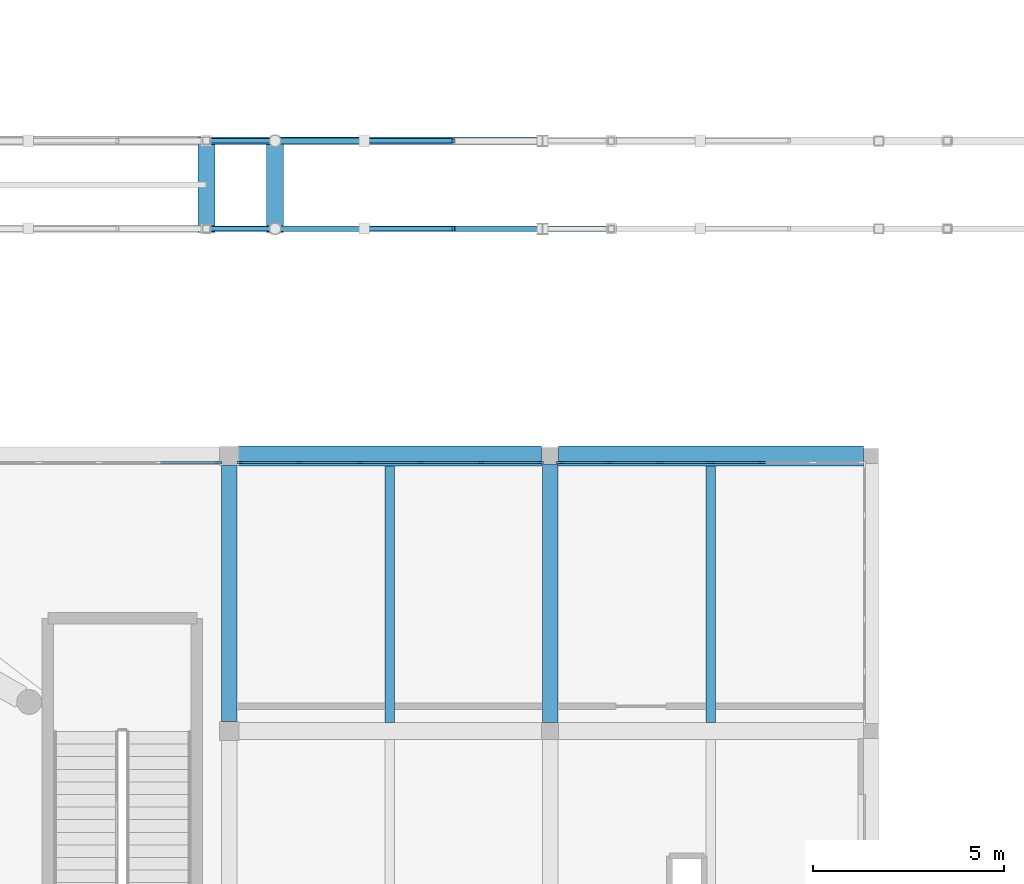
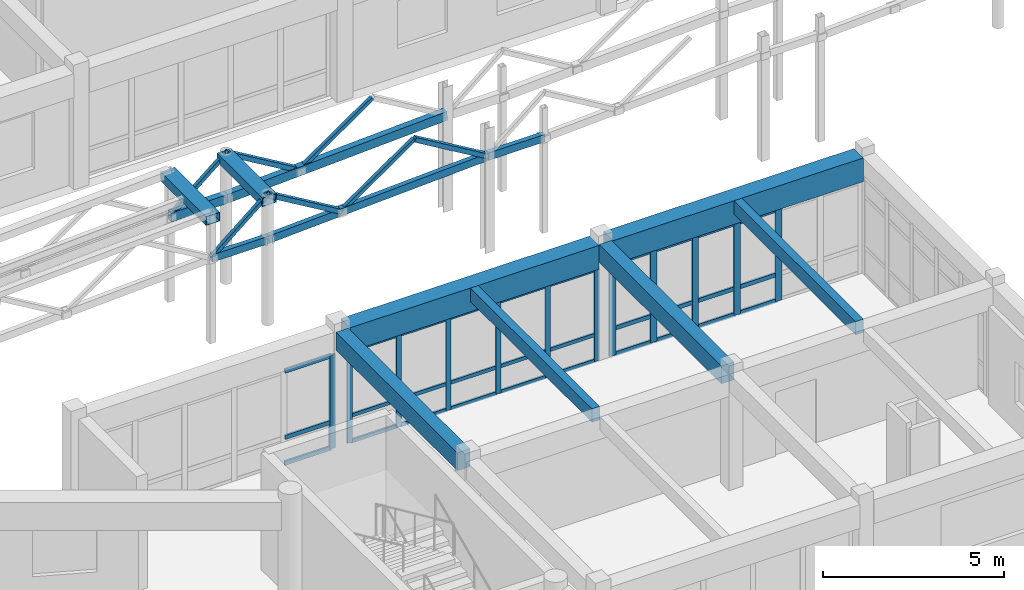
# One storey, part 37 of 147: 54 members, 8 beams, 3 elements without a shape of their own.
"""IFC4 building model written with IfcOpenShell, lengths in metres."""

from ifc_helpers import new_model, si_unit, direction, frame, origin, origin_2d, place, context, subcontext, project, spatial, rectangle, hollow_rectangle, extrude, material, material_profile, profile_set, type_object, element, aggregate, save


model = new_model("IFC4")

# Units and contexts
model_context = context("Model", 3, precision=1e-05, world=origin(), true_north=direction((0.0, 1.0)))
body_context = subcontext(model_context, "Body", "Model", "MODEL_VIEW")
ifc_project = project(units=[si_unit("LENGTHUNIT", "METRE"), si_unit("AREAUNIT", "SQUARE_METRE"), si_unit("VOLUMEUNIT", "CUBIC_METRE"), si_unit("PLANEANGLEUNIT", "RADIAN"), si_unit("MASSUNIT", "GRAM", prefix="KILO")], contexts=[model_context])

# Site, building, storey
site_placement = place(None, origin())
site = spatial("IfcSite", under=ifc_project, at=site_placement, CompositionType="ELEMENT")
building_placement = place(site_placement, origin())
building = spatial("IfcBuilding", under=site, at=building_placement, Name="Malvenik Polytechnic", CompositionType="ELEMENT")
storey_placement = place(building_placement, frame((0.0, 0.0, 5.10009765625)))
storey = spatial("IfcBuildingStorey", under=building, at=storey_placement, Name="L01", CompositionType="ELEMENT", Elevation=5.10009765625)

# Curtain wall, members
ifc_material_1 = material(Name="Anodised aluminium 6060-T6", Category="aluminium")
curtain_wall_type = type_object("IfcCurtainWallType", Name="ARC-CW-CW-02", PredefinedType="NOTDEFINED", material=ifc_material_1)
curtain_wall_1_placement = place(storey_placement, origin())
curtain_wall_1 = element("IfcCurtainWall", 1, at=curtain_wall_1_placement, inside=storey, type_object=curtain_wall_type, Name="Unitised Curtain Wall CW-02 L01 #131", PredefinedType="NOTDEFINED")
ifc_material_2 = material(Name="Anodised aluminium", Category="aluminium")
ifc_material_profile_1 = material_profile(ifc_material_2, rectangle(XDim=0.06005859375, YDim=0.159912109375, at=origin_2d()), Name="ALU MULLION 60x160")
ifc_profile_set_1 = profile_set([ifc_material_profile_1], Name="Anodised aluminium")
member_type_1 = type_object("IfcMemberType", Name="ARC-CWM-160", PredefinedType="MULLION", material=ifc_profile_set_1)
member_1_placement = place(storey_placement, frame((33.8779296875, 35.830078125, 0.0), z_axis=(0.0, 0.0, 1.0), x_axis=(0.0, 1.0, 0.0)))
member_1 = element("IfcMember", 2, at=member_1_placement, type_object=member_type_1, Name="CW-02 mullion 1", PredefinedType="MULLION", context=body_context, shape_type="SweptSolid", body=[
    extrude(rectangle(XDim=0.06005859375, YDim=0.159912109375, at=origin_2d()), origin(), (0.0, 0.0, 1.0), 3.10986328125),
])
member_2_placement = place(storey_placement, frame((35.433837890625, 35.830078125, 0.0), z_axis=(0.0, 0.0, 1.0), x_axis=(0.0, 1.0, 0.0)))
member_2 = element("IfcMember", 3, at=member_2_placement, type_object=member_type_1, Name="CW-02 mullion 2", PredefinedType="MULLION", context=body_context, shape_type="SweptSolid", body=[
    extrude(rectangle(XDim=0.06005859375, YDim=0.159912109375, at=origin_2d()), origin(), (0.0, 0.0, 1.0), 3.10986328125),
])
member_3_placement = place(storey_placement, frame((37.01953125, 35.830078125, 0.0), z_axis=(0.0, 0.0, 1.0), x_axis=(0.0, 1.0, 0.0)))
member_3 = element("IfcMember", 4, at=member_3_placement, type_object=member_type_1, Name="CW-02 mullion 3", PredefinedType="MULLION", context=body_context, shape_type="SweptSolid", body=[
    extrude(rectangle(XDim=0.06005859375, YDim=0.159912109375, at=origin_2d()), origin(), (0.0, 0.0, 1.0), 3.10986328125),
])
member_4_placement = place(storey_placement, frame((38.60546875, 35.830078125, 0.0), z_axis=(0.0, 0.0, 1.0), x_axis=(0.0, 1.0, 0.0)))
member_4 = element("IfcMember", 5, at=member_4_placement, type_object=member_type_1, Name="CW-02 mullion 4", PredefinedType="MULLION", context=body_context, shape_type="SweptSolid", body=[
    extrude(rectangle(XDim=0.06005859375, YDim=0.159912109375, at=origin_2d()), origin(), (0.0, 0.0, 1.0), 3.10986328125),
])
member_5_placement = place(storey_placement, frame((40.191162109375, 35.830078125, 0.0), z_axis=(0.0, 0.0, 1.0), x_axis=(0.0, 1.0, 0.0)))
member_5 = element("IfcMember", 6, at=member_5_placement, type_object=member_type_1, Name="CW-02 mullion 5", PredefinedType="MULLION", context=body_context, shape_type="SweptSolid", body=[
    extrude(rectangle(XDim=0.06005859375, YDim=0.159912109375, at=origin_2d()), origin(), (0.0, 0.0, 1.0), 3.10986328125),
])
member_6_placement = place(storey_placement, frame((41.7470703125, 35.830078125, 0.0), z_axis=(0.0, 0.0, 1.0), x_axis=(0.0, 1.0, 0.0)))
member_6 = element("IfcMember", 7, at=member_6_placement, type_object=member_type_1, Name="CW-02 mullion 6", PredefinedType="MULLION", context=body_context, shape_type="SweptSolid", body=[
    extrude(rectangle(XDim=0.06005859375, YDim=0.159912109375, at=origin_2d()), origin(), (0.0, 0.0, 1.0), 3.10986328125),
])

# Curtain wall, member
curtain_wall_2_placement = place(storey_placement, origin())
curtain_wall_2 = element("IfcCurtainWall", 8, at=curtain_wall_2_placement, inside=storey, type_object=curtain_wall_type, Name="Unitised Curtain Wall CW-02 L01 #130", PredefinedType="NOTDEFINED")
ifc_material_profile_2 = material_profile(ifc_material_2, rectangle(XDim=0.06005859375, YDim=0.179931640625, at=origin_2d()), Name="ALU MULLION 60x180")
ifc_profile_set_2 = profile_set([ifc_material_profile_2], Name="Anodised aluminium")
member_type_2 = type_object("IfcMemberType", Name="ARC-CWM-180", PredefinedType="MULLION", material=ifc_profile_set_2)
member_7_placement = place(storey_placement, frame((33.322021484375, 35.830078125, 0.0), z_axis=(0.0, 0.0, 1.0), x_axis=(0.0, 1.0, 0.0)))
member_7 = element("IfcMember", 9, at=member_7_placement, type_object=member_type_2, Name="CW-02 mullion 6", PredefinedType="MULLION", context=body_context, shape_type="SweptSolid", body=[
    extrude(rectangle(XDim=0.06005859375, YDim=0.179931640625, at=origin_2d()), origin(), (0.0, 0.0, 1.0), 3.159912109375),
])

# Curtain wall, members
curtain_wall_3_placement = place(storey_placement, origin())
curtain_wall_3 = element("IfcCurtainWall", 10, at=curtain_wall_3_placement, inside=storey, type_object=curtain_wall_type, Name="Unitised Curtain Wall CW-02 L01 #132", PredefinedType="NOTDEFINED")
ifc_material_profile_3 = material_profile(ifc_material_2, rectangle(XDim=0.06005859375, YDim=0.199951171875, at=origin_2d()), Name="ALU MULLION 60x200")
ifc_profile_set_3 = profile_set([ifc_material_profile_3], Name="Anodised aluminium")
member_type_3 = type_object("IfcMemberType", Name="ARC-CWM-200", PredefinedType="MULLION", material=ifc_profile_set_3)
member_8_placement = place(storey_placement, frame((42.2529296875, 35.830078125, 0.0), z_axis=(0.0, 0.0, 1.0), x_axis=(0.0, 1.0, 0.0)))
member_8 = element("IfcMember", 11, at=member_8_placement, type_object=member_type_3, Name="CW-02 mullion 1", PredefinedType="MULLION", context=body_context, shape_type="SweptSolid", body=[
    extrude(rectangle(XDim=0.06005859375, YDim=0.199951171875, at=origin_2d()), origin(), (0.0, 0.0, 1.0), 3.10986328125),
])
member_9_placement = place(storey_placement, frame((43.552734375, 35.830078125, 0.0), z_axis=(0.0, 0.0, 1.0), x_axis=(0.0, 1.0, 0.0)))
member_9 = element("IfcMember", 12, at=member_9_placement, type_object=member_type_3, Name="CW-02 mullion 2", PredefinedType="MULLION", context=body_context, shape_type="SweptSolid", body=[
    extrude(rectangle(XDim=0.06005859375, YDim=0.199951171875, at=origin_2d()), origin(), (0.0, 0.0, 1.0), 3.10986328125),
])
member_10_placement = place(storey_placement, frame((44.882568359375, 35.830078125, 0.0), z_axis=(0.0, 0.0, 1.0), x_axis=(0.0, 1.0, 0.0)))
member_10 = element("IfcMember", 13, at=member_10_placement, type_object=member_type_3, Name="CW-02 mullion 3", PredefinedType="MULLION", context=body_context, shape_type="SweptSolid", body=[
    extrude(rectangle(XDim=0.06005859375, YDim=0.199951171875, at=origin_2d()), origin(), (0.0, 0.0, 1.0), 3.10986328125),
])
member_11_placement = place(storey_placement, frame((46.21240234375, 35.830078125, 0.0), z_axis=(0.0, 0.0, 1.0), x_axis=(0.0, 1.0, 0.0)))
member_11 = element("IfcMember", 14, at=member_11_placement, type_object=member_type_3, Name="CW-02 mullion 4", PredefinedType="MULLION", context=body_context, shape_type="SweptSolid", body=[
    extrude(rectangle(XDim=0.06005859375, YDim=0.199951171875, at=origin_2d()), origin(), (0.0, 0.0, 1.0), 3.10986328125),
])
member_12_placement = place(storey_placement, frame((47.542236328125, 35.830078125, 0.0), z_axis=(0.0, 0.0, 1.0), x_axis=(0.0, 1.0, 0.0)))
member_12 = element("IfcMember", 15, at=member_12_placement, type_object=member_type_3, Name="CW-02 mullion 5", PredefinedType="MULLION", context=body_context, shape_type="SweptSolid", body=[
    extrude(rectangle(XDim=0.06005859375, YDim=0.199951171875, at=origin_2d()), origin(), (0.0, 0.0, 1.0), 3.10986328125),
])

# Member
ifc_material_profile_4 = material_profile(ifc_material_2, rectangle(XDim=0.06005859375, YDim=0.1201171875, at=origin_2d()), Name="ALU TRANSOM 60x120")
ifc_profile_set_4 = profile_set([ifc_material_profile_4], Name="Anodised aluminium")
member_type_4 = type_object("IfcMemberType", Name="ARC-CWT-120", PredefinedType="USERDEFINED", material=ifc_profile_set_4)
member_13_placement = place(storey_placement, frame((33.907958984375, 35.830078125, 0.02978515625), z_axis=(1.0, 0.0, 0.0), x_axis=(0.0, 1.0, 0.0)))
member_13 = element("IfcMember", 16, at=member_13_placement, type_object=member_type_4, Name="CW-02 transom 1.1", ObjectType="TRANSOM", PredefinedType="USERDEFINED", context=body_context, shape_type="SweptSolid", body=[
    extrude(rectangle(XDim=0.06005859375, YDim=0.1201171875, at=origin_2d()), origin(), (0.0, 0.0, 1.0), 1.495849609375),
])

member_14_placement = place(storey_placement, frame((33.907958984375, 35.830078125, 0.89990234375), z_axis=(1.0, 0.0, 0.0), x_axis=(0.0, 1.0, 0.0)))
member_14 = element("IfcMember", 17, at=member_14_placement, type_object=member_type_4, Name="CW-02 transom 1.2", ObjectType="TRANSOM", PredefinedType="USERDEFINED", context=body_context, shape_type="SweptSolid", body=[
    extrude(rectangle(XDim=0.06005859375, YDim=0.1201171875, at=origin_2d()), origin(), (0.0, 0.0, 1.0), 1.495849609375),
])

member_15_placement = place(storey_placement, frame((33.907958984375, 35.830078125, 3.079833984375), z_axis=(1.0, 0.0, 0.0), x_axis=(0.0, 1.0, 0.0)))
member_15 = element("IfcMember", 18, at=member_15_placement, type_object=member_type_4, Name="CW-02 transom 1.3", ObjectType="TRANSOM", PredefinedType="USERDEFINED", context=body_context, shape_type="SweptSolid", body=[
    extrude(rectangle(XDim=0.06005859375, YDim=0.1201171875, at=origin_2d()), origin(), (0.0, 0.0, 1.0), 1.495849609375),
])

member_16_placement = place(storey_placement, frame((35.4638671875, 35.830078125, 0.02978515625), z_axis=(1.0, 0.0, 0.0), x_axis=(0.0, 1.0, 0.0)))
member_16 = element("IfcMember", 19, at=member_16_placement, type_object=member_type_4, Name="CW-02 transom 2.1", ObjectType="TRANSOM", PredefinedType="USERDEFINED", context=body_context, shape_type="SweptSolid", body=[
    extrude(rectangle(XDim=0.06005859375, YDim=0.1201171875, at=origin_2d()), origin(), (0.0, 0.0, 1.0), 1.525634765625),
])

member_17_placement = place(storey_placement, frame((35.4638671875, 35.830078125, 0.89990234375), z_axis=(1.0, 0.0, 0.0), x_axis=(0.0, 1.0, 0.0)))
member_17 = element("IfcMember", 20, at=member_17_placement, type_object=member_type_4, Name="CW-02 transom 2.2", ObjectType="TRANSOM", PredefinedType="USERDEFINED", context=body_context, shape_type="SweptSolid", body=[
    extrude(rectangle(XDim=0.06005859375, YDim=0.1201171875, at=origin_2d()), origin(), (0.0, 0.0, 1.0), 1.525634765625),
])

member_18_placement = place(storey_placement, frame((35.4638671875, 35.830078125, 3.079833984375), z_axis=(1.0, 0.0, 0.0), x_axis=(0.0, 1.0, 0.0)))
member_18 = element("IfcMember", 21, at=member_18_placement, type_object=member_type_4, Name="CW-02 transom 2.3", ObjectType="TRANSOM", PredefinedType="USERDEFINED", context=body_context, shape_type="SweptSolid", body=[
    extrude(rectangle(XDim=0.06005859375, YDim=0.1201171875, at=origin_2d()), origin(), (0.0, 0.0, 1.0), 1.525634765625),
])

member_19_placement = place(storey_placement, frame((37.049560546875, 35.830078125, 0.02978515625), z_axis=(1.0, 0.0, 0.0), x_axis=(0.0, 1.0, 0.0)))
member_19 = element("IfcMember", 22, at=member_19_placement, type_object=member_type_4, Name="CW-02 transom 3.1", ObjectType="TRANSOM", PredefinedType="USERDEFINED", context=body_context, shape_type="SweptSolid", body=[
    extrude(rectangle(XDim=0.06005859375, YDim=0.1201171875, at=origin_2d()), origin(), (0.0, 0.0, 1.0), 1.52587890625),
])

member_20_placement = place(storey_placement, frame((37.049560546875, 35.830078125, 0.89990234375), z_axis=(1.0, 0.0, 0.0), x_axis=(0.0, 1.0, 0.0)))
member_20 = element("IfcMember", 23, at=member_20_placement, type_object=member_type_4, Name="CW-02 transom 3.2", ObjectType="TRANSOM", PredefinedType="USERDEFINED", context=body_context, shape_type="SweptSolid", body=[
    extrude(rectangle(XDim=0.06005859375, YDim=0.1201171875, at=origin_2d()), origin(), (0.0, 0.0, 1.0), 1.52587890625),
])

member_21_placement = place(storey_placement, frame((37.049560546875, 35.830078125, 3.079833984375), z_axis=(1.0, 0.0, 0.0), x_axis=(0.0, 1.0, 0.0)))
member_21 = element("IfcMember", 24, at=member_21_placement, type_object=member_type_4, Name="CW-02 transom 3.3", ObjectType="TRANSOM", PredefinedType="USERDEFINED", context=body_context, shape_type="SweptSolid", body=[
    extrude(rectangle(XDim=0.06005859375, YDim=0.1201171875, at=origin_2d()), origin(), (0.0, 0.0, 1.0), 1.52587890625),
])

member_22_placement = place(storey_placement, frame((38.635498046875, 35.830078125, 0.02978515625), z_axis=(1.0, 0.0, 0.0), x_axis=(0.0, 1.0, 0.0)))
member_22 = element("IfcMember", 25, at=member_22_placement, type_object=member_type_4, Name="CW-02 transom 4.1", ObjectType="TRANSOM", PredefinedType="USERDEFINED", context=body_context, shape_type="SweptSolid", body=[
    extrude(rectangle(XDim=0.06005859375, YDim=0.1201171875, at=origin_2d()), origin(), (0.0, 0.0, 1.0), 1.525634765625),
])

member_23_placement = place(storey_placement, frame((38.635498046875, 35.830078125, 0.89990234375), z_axis=(1.0, 0.0, 0.0), x_axis=(0.0, 1.0, 0.0)))
member_23 = element("IfcMember", 26, at=member_23_placement, type_object=member_type_4, Name="CW-02 transom 4.2", ObjectType="TRANSOM", PredefinedType="USERDEFINED", context=body_context, shape_type="SweptSolid", body=[
    extrude(rectangle(XDim=0.06005859375, YDim=0.1201171875, at=origin_2d()), origin(), (0.0, 0.0, 1.0), 1.525634765625),
])

member_24_placement = place(storey_placement, frame((38.635498046875, 35.830078125, 3.079833984375), z_axis=(1.0, 0.0, 0.0), x_axis=(0.0, 1.0, 0.0)))
member_24 = element("IfcMember", 27, at=member_24_placement, type_object=member_type_4, Name="CW-02 transom 4.3", ObjectType="TRANSOM", PredefinedType="USERDEFINED", context=body_context, shape_type="SweptSolid", body=[
    extrude(rectangle(XDim=0.06005859375, YDim=0.1201171875, at=origin_2d()), origin(), (0.0, 0.0, 1.0), 1.525634765625),
])

member_25_placement = place(storey_placement, frame((40.22119140625, 35.830078125, 0.02978515625), z_axis=(1.0, 0.0, 0.0), x_axis=(0.0, 1.0, 0.0)))
member_25 = element("IfcMember", 28, at=member_25_placement, type_object=member_type_4, Name="CW-02 transom 5.1", ObjectType="TRANSOM", PredefinedType="USERDEFINED", context=body_context, shape_type="SweptSolid", body=[
    extrude(rectangle(XDim=0.06005859375, YDim=0.1201171875, at=origin_2d()), origin(), (0.0, 0.0, 1.0), 1.495849609375),
])

member_26_placement = place(storey_placement, frame((40.22119140625, 35.830078125, 0.89990234375), z_axis=(1.0, 0.0, 0.0), x_axis=(0.0, 1.0, 0.0)))
member_26 = element("IfcMember", 29, at=member_26_placement, type_object=member_type_4, Name="CW-02 transom 5.2", ObjectType="TRANSOM", PredefinedType="USERDEFINED", context=body_context, shape_type="SweptSolid", body=[
    extrude(rectangle(XDim=0.06005859375, YDim=0.1201171875, at=origin_2d()), origin(), (0.0, 0.0, 1.0), 1.495849609375),
])

member_27_placement = place(storey_placement, frame((40.22119140625, 35.830078125, 3.079833984375), z_axis=(1.0, 0.0, 0.0), x_axis=(0.0, 1.0, 0.0)))
member_27 = element("IfcMember", 30, at=member_27_placement, type_object=member_type_4, Name="CW-02 transom 5.3", ObjectType="TRANSOM", PredefinedType="USERDEFINED", context=body_context, shape_type="SweptSolid", body=[
    extrude(rectangle(XDim=0.06005859375, YDim=0.1201171875, at=origin_2d()), origin(), (0.0, 0.0, 1.0), 1.495849609375),
])

aggregate(curtain_wall_1, [member_1, member_2, member_3, member_4, member_5, member_6, member_13, member_14, member_15, member_16, member_17, member_18, member_19, member_20, member_21, member_22, member_23, member_24, member_25, member_26, member_27])

ifc_material_profile_5 = material_profile(ifc_material_2, rectangle(XDim=0.06005859375, YDim=0.139892578125, at=origin_2d()), Name="ALU TRANSOM 60x140")
ifc_profile_set_5 = profile_set([ifc_material_profile_5], Name="Anodised aluminium")
member_type_5 = type_object("IfcMemberType", Name="ARC-CWT-140", PredefinedType="USERDEFINED", material=ifc_profile_set_5)
member_28_placement = place(storey_placement, frame((31.80126953125, 35.830078125, 0.02978515625), z_axis=(1.0, 0.0, 0.0), x_axis=(0.0, 1.0, 0.0)))
member_28 = element("IfcMember", 31, at=member_28_placement, type_object=member_type_5, Name="CW-02 transom 5.1", ObjectType="TRANSOM", PredefinedType="USERDEFINED", context=body_context, shape_type="SweptSolid", body=[
    extrude(rectangle(XDim=0.06005859375, YDim=0.139892578125, at=origin_2d()), origin(), (0.0, 0.0, 1.0), 1.49072265625),
])

member_29_placement = place(storey_placement, frame((31.80126953125, 35.830078125, 0.89990234375), z_axis=(1.0, 0.0, 0.0), x_axis=(0.0, 1.0, 0.0)))
member_29 = element("IfcMember", 32, at=member_29_placement, type_object=member_type_5, Name="CW-02 transom 5.2", ObjectType="TRANSOM", PredefinedType="USERDEFINED", context=body_context, shape_type="SweptSolid", body=[
    extrude(rectangle(XDim=0.06005859375, YDim=0.139892578125, at=origin_2d()), origin(), (0.0, 0.0, 1.0), 1.49072265625),
])

member_30_placement = place(storey_placement, frame((31.80126953125, 35.830078125, 3.1298828125), z_axis=(1.0, 0.0, 0.0), x_axis=(0.0, 1.0, 0.0)))
member_30 = element("IfcMember", 33, at=member_30_placement, type_object=member_type_5, Name="CW-02 transom 5.3", ObjectType="TRANSOM", PredefinedType="USERDEFINED", context=body_context, shape_type="SweptSolid", body=[
    extrude(rectangle(XDim=0.06005859375, YDim=0.139892578125, at=origin_2d()), origin(), (0.0, 0.0, 1.0), 1.49072265625),
])

aggregate(curtain_wall_2, [member_7, member_28, member_29, member_30])

member_31_placement = place(storey_placement, frame((42.282958984375, 35.830078125, 0.02978515625), z_axis=(1.0, 0.0, 0.0), x_axis=(0.0, 1.0, 0.0)))
member_31 = element("IfcMember", 34, at=member_31_placement, type_object=member_type_5, Name="CW-02 transom 1.1", ObjectType="TRANSOM", PredefinedType="USERDEFINED", context=body_context, shape_type="SweptSolid", body=[
    extrude(rectangle(XDim=0.06005859375, YDim=0.139892578125, at=origin_2d()), origin(), (0.0, 0.0, 1.0), 1.239990234375),
])

member_32_placement = place(storey_placement, frame((42.282958984375, 35.830078125, 0.89990234375), z_axis=(1.0, 0.0, 0.0), x_axis=(0.0, 1.0, 0.0)))
member_32 = element("IfcMember", 35, at=member_32_placement, type_object=member_type_5, Name="CW-02 transom 1.2", ObjectType="TRANSOM", PredefinedType="USERDEFINED", context=body_context, shape_type="SweptSolid", body=[
    extrude(rectangle(XDim=0.06005859375, YDim=0.139892578125, at=origin_2d()), origin(), (0.0, 0.0, 1.0), 1.239990234375),
])

member_33_placement = place(storey_placement, frame((42.282958984375, 35.830078125, 3.079833984375), z_axis=(1.0, 0.0, 0.0), x_axis=(0.0, 1.0, 0.0)))
member_33 = element("IfcMember", 36, at=member_33_placement, type_object=member_type_5, Name="CW-02 transom 1.3", ObjectType="TRANSOM", PredefinedType="USERDEFINED", context=body_context, shape_type="SweptSolid", body=[
    extrude(rectangle(XDim=0.06005859375, YDim=0.139892578125, at=origin_2d()), origin(), (0.0, 0.0, 1.0), 1.239990234375),
])

member_34_placement = place(storey_placement, frame((43.582763671875, 35.830078125, 0.02978515625), z_axis=(1.0, 0.0, 0.0), x_axis=(0.0, 1.0, 0.0)))
member_34 = element("IfcMember", 37, at=member_34_placement, type_object=member_type_5, Name="CW-02 transom 2.1", ObjectType="TRANSOM", PredefinedType="USERDEFINED", context=body_context, shape_type="SweptSolid", body=[
    extrude(rectangle(XDim=0.06005859375, YDim=0.139892578125, at=origin_2d()), origin(), (0.0, 0.0, 1.0), 1.27001953125),
])

member_35_placement = place(storey_placement, frame((43.582763671875, 35.830078125, 0.89990234375), z_axis=(1.0, 0.0, 0.0), x_axis=(0.0, 1.0, 0.0)))
member_35 = element("IfcMember", 38, at=member_35_placement, type_object=member_type_5, Name="CW-02 transom 2.2", ObjectType="TRANSOM", PredefinedType="USERDEFINED", context=body_context, shape_type="SweptSolid", body=[
    extrude(rectangle(XDim=0.06005859375, YDim=0.139892578125, at=origin_2d()), origin(), (0.0, 0.0, 1.0), 1.27001953125),
])

member_36_placement = place(storey_placement, frame((43.582763671875, 35.830078125, 3.079833984375), z_axis=(1.0, 0.0, 0.0), x_axis=(0.0, 1.0, 0.0)))
member_36 = element("IfcMember", 39, at=member_36_placement, type_object=member_type_5, Name="CW-02 transom 2.3", ObjectType="TRANSOM", PredefinedType="USERDEFINED", context=body_context, shape_type="SweptSolid", body=[
    extrude(rectangle(XDim=0.06005859375, YDim=0.139892578125, at=origin_2d()), origin(), (0.0, 0.0, 1.0), 1.27001953125),
])

member_37_placement = place(storey_placement, frame((44.91259765625, 35.830078125, 0.02978515625), z_axis=(1.0, 0.0, 0.0), x_axis=(0.0, 1.0, 0.0)))
member_37 = element("IfcMember", 40, at=member_37_placement, type_object=member_type_5, Name="CW-02 transom 3.1", ObjectType="TRANSOM", PredefinedType="USERDEFINED", context=body_context, shape_type="SweptSolid", body=[
    extrude(rectangle(XDim=0.06005859375, YDim=0.139892578125, at=origin_2d()), origin(), (0.0, 0.0, 1.0), 1.27001953125),
])

member_38_placement = place(storey_placement, frame((44.91259765625, 35.830078125, 0.89990234375), z_axis=(1.0, 0.0, 0.0), x_axis=(0.0, 1.0, 0.0)))
member_38 = element("IfcMember", 41, at=member_38_placement, type_object=member_type_5, Name="CW-02 transom 3.2", ObjectType="TRANSOM", PredefinedType="USERDEFINED", context=body_context, shape_type="SweptSolid", body=[
    extrude(rectangle(XDim=0.06005859375, YDim=0.139892578125, at=origin_2d()), origin(), (0.0, 0.0, 1.0), 1.27001953125),
])

member_39_placement = place(storey_placement, frame((44.91259765625, 35.830078125, 3.079833984375), z_axis=(1.0, 0.0, 0.0), x_axis=(0.0, 1.0, 0.0)))
member_39 = element("IfcMember", 42, at=member_39_placement, type_object=member_type_5, Name="CW-02 transom 3.3", ObjectType="TRANSOM", PredefinedType="USERDEFINED", context=body_context, shape_type="SweptSolid", body=[
    extrude(rectangle(XDim=0.06005859375, YDim=0.139892578125, at=origin_2d()), origin(), (0.0, 0.0, 1.0), 1.27001953125),
])

member_40_placement = place(storey_placement, frame((46.242431640625, 35.830078125, 0.02978515625), z_axis=(1.0, 0.0, 0.0), x_axis=(0.0, 1.0, 0.0)))
member_40 = element("IfcMember", 43, at=member_40_placement, type_object=member_type_5, Name="CW-02 transom 4.1", ObjectType="TRANSOM", PredefinedType="USERDEFINED", context=body_context, shape_type="SweptSolid", body=[
    extrude(rectangle(XDim=0.06005859375, YDim=0.139892578125, at=origin_2d()), origin(), (0.0, 0.0, 1.0), 1.27001953125),
])

member_41_placement = place(storey_placement, frame((46.242431640625, 35.830078125, 0.89990234375), z_axis=(1.0, 0.0, 0.0), x_axis=(0.0, 1.0, 0.0)))
member_41 = element("IfcMember", 44, at=member_41_placement, type_object=member_type_5, Name="CW-02 transom 4.2", ObjectType="TRANSOM", PredefinedType="USERDEFINED", context=body_context, shape_type="SweptSolid", body=[
    extrude(rectangle(XDim=0.06005859375, YDim=0.139892578125, at=origin_2d()), origin(), (0.0, 0.0, 1.0), 1.27001953125),
])

member_42_placement = place(storey_placement, frame((46.242431640625, 35.830078125, 3.079833984375), z_axis=(1.0, 0.0, 0.0), x_axis=(0.0, 1.0, 0.0)))
member_42 = element("IfcMember", 45, at=member_42_placement, type_object=member_type_5, Name="CW-02 transom 4.3", ObjectType="TRANSOM", PredefinedType="USERDEFINED", context=body_context, shape_type="SweptSolid", body=[
    extrude(rectangle(XDim=0.06005859375, YDim=0.139892578125, at=origin_2d()), origin(), (0.0, 0.0, 1.0), 1.27001953125),
])

aggregate(curtain_wall_3, [member_8, member_9, member_10, member_11, member_12, member_31, member_32, member_33, member_34, member_35, member_36, member_37, member_38, member_39, member_40, member_41, member_42])

# Beams
ifc_material_3 = material(Name="Concrete C35/45", Category="concrete")
ifc_material_profile_6 = material_profile(ifc_material_3, rectangle(XDim=0.39990234375, YDim=0.60009765625, at=origin_2d()), Name="RC BM 400x600")
ifc_profile_set_6 = profile_set([ifc_material_profile_6], Name="Concrete C35/45")
beam_type_1 = type_object("IfcBeamType", Name="STR-BM-B-06", PredefinedType="BEAM", material=ifc_profile_set_6)
beam_1_placement = place(storey_placement, frame((33.60009765625, 29.048095703125, 3.619873046875), z_axis=(0.0, 1.0, 0.0), x_axis=(-1.0, 0.0, 0.0)))
element("IfcBeam", 46, at=beam_1_placement, inside=storey, type_object=beam_type_1, Name="Transverse Beam B-06 L01 #1146", PredefinedType="BEAM", context=body_context, shape_type="SweptSolid", body=[
    extrude(rectangle(XDim=0.39990234375, YDim=0.60009765625, at=origin_2d()), origin(), (0.0, 0.0, 1.0), 6.703857421875),
])
beam_2_placement = place(storey_placement, frame((42.0, 29.02294921875, 3.619873046875), z_axis=(0.0, 1.0, 0.0), x_axis=(-1.0, 0.0, 0.0)))
element("IfcBeam", 47, at=beam_2_placement, inside=storey, type_object=beam_type_1, Name="Transverse Beam B-06 L01 #1154", PredefinedType="BEAM", context=body_context, shape_type="SweptSolid", body=[
    extrude(rectangle(XDim=0.39990234375, YDim=0.60009765625, at=origin_2d()), origin(), (0.0, 0.0, 1.0), 6.754150390625),
])
ifc_material_4 = material(Name="Concrete C30/37", Category="concrete")
ifc_material_profile_7 = material_profile(ifc_material_4, rectangle(XDim=0.25, YDim=0.449951171875, at=origin_2d()), Name="RC JST 250x450")
ifc_profile_set_7 = profile_set([ifc_material_profile_7], Name="Concrete C30/37")
beam_type_2 = type_object("IfcBeamType", Name="STR-BM-J-02", PredefinedType="JOIST", material=ifc_profile_set_7)
for number, where, z_axis, x_axis, name in (
    (48, (37.800048828125, 29.02294921875, 3.69482421875), (0.0, 1.0, 0.0), (-1.0, 0.0, 0.0), "Secondary Rib Joist J-02 L01 #1262"),
    (49, (46.199951171875, 29.02294921875, 3.69482421875), (0.0, 1.0, 0.0), (-1.0, 0.0, 0.0), "Secondary Rib Joist J-02 L01 #1268"),
):
    element("IfcBeam", number, at=place(storey_placement, frame(where, z_axis=z_axis, x_axis=x_axis)), inside=storey, type_object=beam_type_2, Name=name, PredefinedType="JOIST", context=body_context, shape_type="SweptSolid", body=[
        extrude(rectangle(XDim=0.25, YDim=0.449951171875, at=origin_2d()), origin(), (0.0, 0.0, 1.0), 6.718994140625),
    ])
ifc_material_5 = material(Name="Steel S355J2H", Category="steel")
ifc_material_profile_8 = material_profile(ifc_material_5, hollow_rectangle(XDim=0.449951171875, YDim=0.300048828125, WallThickness=0.012451171875, at=origin_2d()), Name="RHS 450x300x12.5")
ifc_profile_set_8 = profile_set([ifc_material_profile_8], Name="Steel S355J2H")
beam_type_3 = type_object("IfcBeamType", Name="STR-BM-SB-07", PredefinedType="BEAM", material=ifc_profile_set_8)
for number, where, z_axis, x_axis, name in (
    (50, (33.0, 41.85009765625, 4.181884765625), (0.0, 1.0, 0.0), (-1.0, 0.0, 0.0), "Ramp Joint Transom RB-01 #1"),
    (51, (34.800048828125, 41.85009765625, 4.181884765625), (0.0, 1.0, 0.0), (-1.0, 0.0, 0.0), "Ramp Joint Transom RB-01 #2"),
):
    element("IfcBeam", number, at=place(storey_placement, frame(where, z_axis=z_axis, x_axis=x_axis)), inside=storey, type_object=beam_type_3, Name=name, PredefinedType="BEAM", context=body_context, shape_type="SweptSolid", body=[
        extrude(hollow_rectangle(XDim=0.449951171875, YDim=0.300048828125, WallThickness=0.012451171875, at=origin_2d()), origin(), (0.0, 0.0, 1.0), 2.5),
    ])
ifc_material_6 = material(Name="Precast concrete C40/50", Category="concrete")
ifc_material_profile_9 = material_profile(ifc_material_6, rectangle(XDim=0.52001953125, YDim=0.800048828125, at=origin_2d()), Name="PC SPN 520x800")
ifc_profile_set_9 = profile_set([ifc_material_profile_9], Name="Precast concrete C40/50")
beam_type_4 = type_object("IfcBeamType", Name="STR-BM-SP-01", PredefinedType="SPANDREL", material=ifc_profile_set_9)
beam_3_placement = place(storey_placement, frame((33.847900390625, 36.0, 3.52001953125), z_axis=(1.0, 0.0, 0.0), x_axis=(0.0, 1.0, 0.0)))
element("IfcBeam", 52, at=beam_3_placement, inside=storey, type_object=beam_type_4, Name="Primary Beam SP-01 L01 #988", PredefinedType="SPANDREL", context=body_context, shape_type="SweptSolid", body=[
    extrude(rectangle(XDim=0.52001953125, YDim=0.800048828125, at=origin_2d()), origin(), (0.0, 0.0, 1.0), 7.92919921875),
])
beam_4_placement = place(storey_placement, frame((42.222900390625, 36.0, 3.52001953125), z_axis=(1.0, 0.0, 0.0), x_axis=(0.0, 1.0, 0.0)))
element("IfcBeam", 53, at=beam_4_placement, inside=storey, type_object=beam_type_4, Name="Primary Beam SP-01 L01 #989", PredefinedType="SPANDREL", context=body_context, shape_type="SweptSolid", body=[
    extrude(rectangle(XDim=0.52001953125, YDim=0.800048828125, at=origin_2d()), origin(), (0.0, 0.0, 1.0), 7.97900390625),
])

# Members
ifc_material_profile_10 = material_profile(ifc_material_5, hollow_rectangle(XDim=0.14990234375, YDim=0.25, WallThickness=0.010009765625, at=origin_2d()), Name="RHS 250x150x10.0")
ifc_profile_set_10 = profile_set([ifc_material_profile_10], Name="Steel S355J2H")
member_type_6 = type_object("IfcMemberType", Name="STR-MEM-TRB-01", PredefinedType="CHORD", material=ifc_profile_set_10)
member_43_placement = place(storey_placement, frame((33.00390625, 41.949951171875, 2.829833984375), z_axis=(1.0, 0.0, 0.0), x_axis=(0.0, 1.0, 0.0)))
element("IfcMember", 54, at=member_43_placement, inside=storey, type_object=member_type_6, Name="Space-Frame Tube TRB-01 STR-TR-BC-RB-01-1-01", PredefinedType="CHORD", context=body_context, shape_type="SweptSolid", body=[
    extrude(hollow_rectangle(XDim=0.14990234375, YDim=0.25, WallThickness=0.010009765625, at=origin_2d()), origin(), (0.0, 0.0, 1.0), 1.7919921875),
])
member_44_placement = place(storey_placement, frame((34.803955078125, 41.949951171875, 2.830078125), z_axis=(0.998752251909, 0.0, 0.049939356288), x_axis=(0.0, 1.0, 0.0)))
element("IfcMember", 55, at=member_44_placement, inside=storey, type_object=member_type_6, Name="Space-Frame Tube TRB-01 STR-TR-BC-RB-01-1-02", PredefinedType="CHORD", context=body_context, shape_type="SweptSolid", body=[
    extrude(hollow_rectangle(XDim=0.14990234375, YDim=0.25, WallThickness=0.010009765625, at=origin_2d()), origin(), (0.0, 0.0, 1.0), 7.000732421875),
])
member_45_placement = place(storey_placement, frame((41.803955078125, 41.949951171875, 3.179931640625), z_axis=(1.0, 0.0, 0.0), x_axis=(0.0, 1.0, 0.0)))
element("IfcMember", 56, at=member_45_placement, inside=storey, type_object=member_type_6, Name="Space-Frame Tube TRB-01 STR-TR-BC-RB-01-1-03", PredefinedType="CHORD", context=body_context, shape_type="SweptSolid", body=[
    extrude(hollow_rectangle(XDim=0.14990234375, YDim=0.25, WallThickness=0.010009765625, at=origin_2d()), origin(), (0.0, 0.0, 1.0), 1.7919921875),
])
ifc_material_profile_11 = material_profile(ifc_material_5, hollow_rectangle(XDim=0.199951171875, YDim=0.300048828125, WallThickness=0.010009765625, at=origin_2d()), Name="RHS 300x200x10.0")
ifc_profile_set_11 = profile_set([ifc_material_profile_11], Name="Steel S355J2H")
member_type_7 = type_object("IfcMemberType", Name="STR-MEM-TRB-02", PredefinedType="CHORD", material=ifc_profile_set_11)
member_46_placement = place(storey_placement, frame((33.00390625, 44.25, 2.829833984375), z_axis=(1.0, 0.0, 0.0), x_axis=(0.0, 1.0, 0.0)))
element("IfcMember", 57, at=member_46_placement, inside=storey, type_object=member_type_7, Name="Space-Frame Tube TRB-02 STR-TR-BC-RB-01-2-01", PredefinedType="CHORD", context=body_context, shape_type="SweptSolid", body=[
    extrude(hollow_rectangle(XDim=0.199951171875, YDim=0.300048828125, WallThickness=0.010009765625, at=origin_2d()), origin(), (0.0, 0.0, 1.0), 1.7919921875),
])
member_47_placement = place(storey_placement, frame((34.803955078125, 44.25, 2.830078125), z_axis=(0.998752251909, 0.0, 0.049939356288), x_axis=(0.0, 1.0, 0.0)))
element("IfcMember", 58, at=member_47_placement, inside=storey, type_object=member_type_7, Name="Space-Frame Tube TRB-02 STR-TR-BC-RB-01-2-02", PredefinedType="CHORD", context=body_context, shape_type="SweptSolid", body=[
    extrude(hollow_rectangle(XDim=0.199951171875, YDim=0.300048828125, WallThickness=0.010009765625, at=origin_2d()), origin(), (0.0, 0.0, 1.0), 7.000732421875),
])
ifc_material_profile_12 = material_profile(ifc_material_5, hollow_rectangle(XDim=0.14990234375, YDim=0.14990234375, WallThickness=0.008056640625, at=origin_2d()), Name="SHS 150x150x8.0")
ifc_profile_set_12 = profile_set([ifc_material_profile_12], Name="Steel S355J2H")
member_type_8 = type_object("IfcMemberType", Name="STR-MEM-TRD-01", PredefinedType="BRACE", material=ifc_profile_set_12)
for number, where, z_axis, x_axis, name in (
    (59, (34.803466796875, 41.949951171875, 4.327880859375), (0.860165406805, 0.0, -0.51001516932), (0.0, 1.0, 0.0), "Space-Frame Tube TRD-01 STR-TRD-01-RB-01-1-02"),
    (60, (39.47021484375, 41.949951171875, 4.561279296875), (0.860165406805, 0.0, -0.51001516932), (0.0, 1.0, 0.0), "Space-Frame Tube TRD-01 STR-TRD-03-RB-01-1-02"),
    (61, (34.803466796875, 44.25, 4.327880859375), (0.860165406805, 0.0, -0.51001516932), (0.0, 1.0, 0.0), "Space-Frame Tube TRD-01 STR-TRD-01-RB-01-2-02"),
):
    element("IfcMember", number, at=place(storey_placement, frame(where, z_axis=z_axis, x_axis=x_axis)), inside=storey, type_object=member_type_8, Name=name, PredefinedType="BRACE", context=body_context, shape_type="SweptSolid", body=[
        extrude(hollow_rectangle(XDim=0.14990234375, YDim=0.14990234375, WallThickness=0.008056640625, at=origin_2d()), origin(), (0.0, 0.0, 1.0), 2.70458984375),
    ])
ifc_material_profile_13 = material_profile(ifc_material_5, hollow_rectangle(XDim=0.1201171875, YDim=0.1201171875, WallThickness=0.00634765625, at=origin_2d()), Name="SHS 120x120x6.3")
ifc_profile_set_13 = profile_set([ifc_material_profile_13], Name="Steel S355J2H")
member_type_9 = type_object("IfcMemberType", Name="STR-MEM-TRD-02", PredefinedType="BRACE", material=ifc_profile_set_13)
member_48_placement = place(storey_placement, frame((33.003173828125, 41.949951171875, 2.83251953125), z_axis=(0.768195567728, 0.0, 0.640215252647), x_axis=(0.0, 1.0, 0.0)))
element("IfcMember", 62, at=member_48_placement, inside=storey, type_object=member_type_9, Name="Space-Frame Tube TRD-02 STR-TR-DGL-RB-01-1-01", PredefinedType="BRACE", context=body_context, shape_type="SweptSolid", body=[
    extrude(hollow_rectangle(XDim=0.1201171875, YDim=0.1201171875, WallThickness=0.00634765625, at=origin_2d()), origin(), (0.0, 0.0, 1.0), 2.3349609375),
])
member_49_placement = place(storey_placement, frame((37.13671875, 41.949951171875, 2.948974609375), z_axis=(0.822018261481, 0.0, 0.569461129307), x_axis=(0.0, 1.0, 0.0)))
element("IfcMember", 63, at=member_49_placement, inside=storey, type_object=member_type_9, Name="Space-Frame Tube TRD-02 STR-TRD-02-RB-01-1-02", PredefinedType="BRACE", context=body_context, shape_type="SweptSolid", body=[
    extrude(hollow_rectangle(XDim=0.1201171875, YDim=0.1201171875, WallThickness=0.00634765625, at=origin_2d()), origin(), (0.0, 0.0, 1.0), 2.830322265625),
])
member_50_placement = place(storey_placement, frame((33.003173828125, 44.25, 2.83251953125), z_axis=(0.768195567728, 0.0, 0.640215252647), x_axis=(0.0, 1.0, 0.0)))
element("IfcMember", 64, at=member_50_placement, inside=storey, type_object=member_type_9, Name="Space-Frame Tube TRD-02 STR-TR-DGL-RB-01-2-01", PredefinedType="BRACE", context=body_context, shape_type="SweptSolid", body=[
    extrude(hollow_rectangle(XDim=0.1201171875, YDim=0.1201171875, WallThickness=0.00634765625, at=origin_2d()), origin(), (0.0, 0.0, 1.0), 2.3349609375),
])
member_51_placement = place(storey_placement, frame((37.13671875, 44.25, 2.948974609375), z_axis=(0.822018261481, 0.0, 0.569461129307), x_axis=(0.0, 1.0, 0.0)))
element("IfcMember", 65, at=member_51_placement, inside=storey, type_object=member_type_9, Name="Space-Frame Tube TRD-02 STR-TRD-02-RB-01-2-02", PredefinedType="BRACE", context=body_context, shape_type="SweptSolid", body=[
    extrude(hollow_rectangle(XDim=0.1201171875, YDim=0.1201171875, WallThickness=0.00634765625, at=origin_2d()), origin(), (0.0, 0.0, 1.0), 2.830322265625),
])

save(model, "model.ifc")
